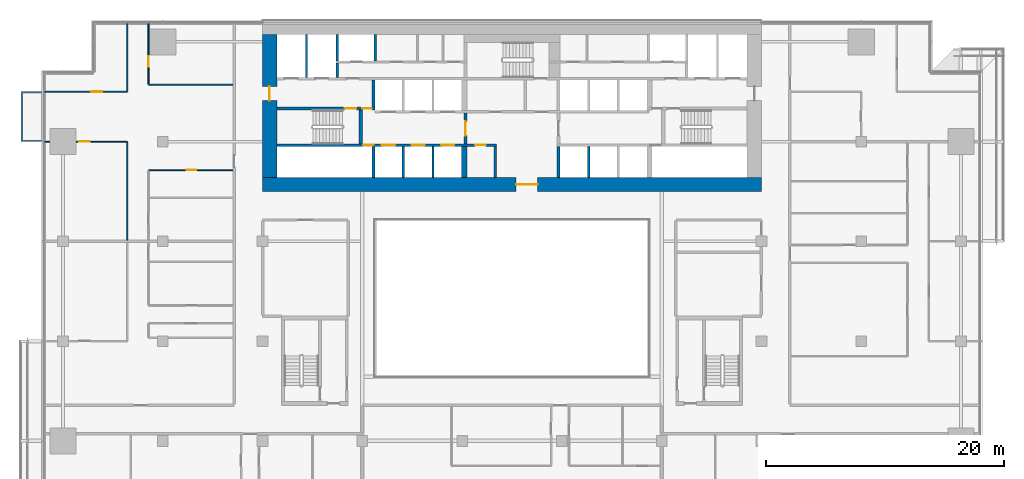
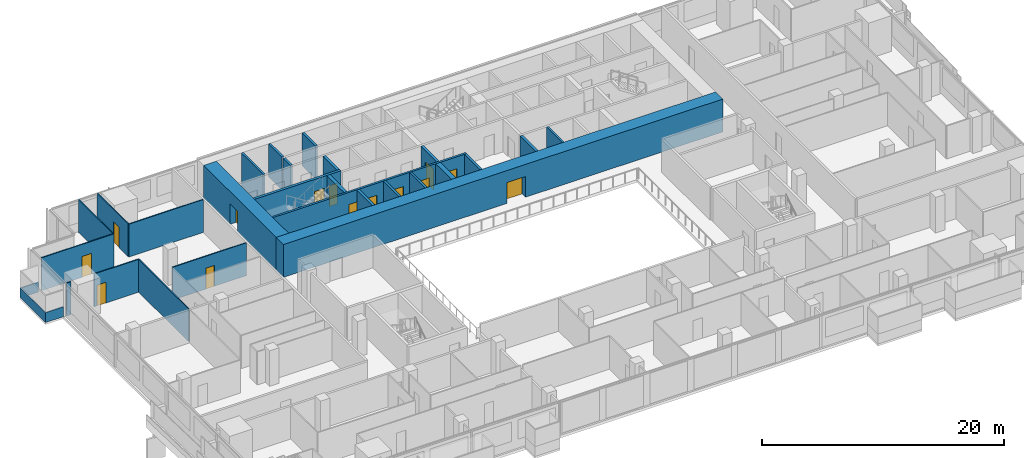
# One storey, part 21 of 29: 27 walls, 14 doors, 14 openings.
"""IFC4 building model written with IfcOpenShell, lengths in metres."""

from ifc_helpers import new_model, si_unit, direction, frame, frame_2d, origin, place, context, subcontext, project, spatial, polyline, rectangle, outline, extrude, material, layer, layer_set, type_object, element, fill, save


model = new_model("IFC4")

# Units and contexts
model_context = context("Model", 3, precision=1e-05, world=origin(), true_north=direction((0.0, 1.0)))
body_context = subcontext(model_context, "Body", "Model", "MODEL_VIEW")
ifc_project = project(units=[si_unit("LENGTHUNIT", "METRE"), si_unit("AREAUNIT", "SQUARE_METRE"), si_unit("VOLUMEUNIT", "CUBIC_METRE"), si_unit("PLANEANGLEUNIT", "RADIAN"), si_unit("MASSUNIT", "GRAM", prefix="KILO")], contexts=[model_context])

# Site, building, storey
site_placement = place(None, origin())
site = spatial("IfcSite", under=ifc_project, at=site_placement, CompositionType="ELEMENT")
building_placement = place(site_placement, origin())
building = spatial("IfcBuilding", under=site, at=building_placement, Name="Saffron Gate Tower", CompositionType="ELEMENT")
storey_placement = place(building_placement, frame((0.0, 0.0, 55.199951171875)))
storey = spatial("IfcBuildingStorey", under=building, at=storey_placement, Name="L12", CompositionType="ELEMENT", Elevation=55.199951171875)

# Wall, opening, door
ifc_material_1 = material(Name="Concrete C70", Category="concrete")
ifc_layer_1 = layer(ifc_material_1, 1.199951171875)
ifc_layer_set_1 = layer_set([ifc_layer_1], Name="CW1 RC core wall 1200 C70")
wall_type_1 = type_object("IfcWallType", Name="CW1 RC core wall 1200 C70", PredefinedType="SOLIDWALL", material=ifc_layer_set_1)
wall_1_placement = place(storey_placement, frame((66.60009765625, 61.800048828125, 0.0), z_axis=(0.0, 0.0, 1.0), x_axis=(1.0, 0.0, 0.0)))
wall_1 = element("IfcWall", 1, at=wall_1_placement, inside=storey, type_object=wall_type_1, Name="Wall CW1-L12-1", PredefinedType="SOLIDWALL", context=body_context, shape_type="SweptSolid", body=[
    extrude(rectangle(XDim=42.0, YDim=1.199951171875, at=frame_2d((21.0, 0.0))), origin(), (0.0, 0.0, 1.0), 3.320068359375),
])
opening_1_placement = place(wall_1_placement, frame((21.35009765625, 0.0, 0.0)))
opening_1 = element("IfcOpeningElement", 2, at=opening_1_placement, cuts=wall_1, Name="Opening CR-09", PredefinedType="OPENING", context=body_context, shape_type="SweptSolid", body=[
    extrude(rectangle(XDim=1.800048828125, YDim=2.10009765625, at=frame_2d((0.89990234375, 1.050048828125))), frame((0.0, 0.60986328125, 0.0), z_axis=(0.0, -1.0, 0.0), x_axis=(1.0, 0.0, 0.0)), (0.0, 0.0, 1.0), 1.219970703125),
])
ifc_material_2 = material(Name="Steel fire door set", Category="steel")
door_type_1 = type_object("IfcDoorType", Name="CD1 Core entrance door 1800x2100 EI 120", OperationType="NOTDEFINED", PredefinedType="DOOR", material=ifc_material_2)
door_1_placement = place(opening_1_placement, origin())
door_1 = element("IfcDoor", 3, at=door_1_placement, inside=storey, type_object=door_type_1, Name="DOOR CR-09", OperationType="DOUBLE_DOOR_SINGLE_SWING", OverallHeight=2.10009765625, OverallWidth=1.800048828125, PredefinedType="DOOR", context=body_context, shape_type="SweptSolid", body=[
    extrude(rectangle(XDim=1.800048828125, YDim=2.10009765625, at=frame_2d((0.89990234375, 1.050048828125))), frame((0.0, 0.02490234375, 0.0), z_axis=(0.0, -1.0, 0.0), x_axis=(1.0, 0.0, 0.0)), (0.0, 0.0, 1.0), 0.050048828125),
])
fill(opening_1, door_1)

wall_2_placement = place(storey_placement, frame((67.199951171875, 62.39990234375, 0.0), z_axis=(0.0, 0.0, 1.0), x_axis=(0.0, 1.0, 0.0)))
wall_2 = element("IfcWall", 4, at=wall_2_placement, inside=storey, type_object=wall_type_1, Name="Wall CW1-L12-3", PredefinedType="SOLIDWALL", context=body_context, shape_type="SweptSolid", body=[
    extrude(rectangle(XDim=12.0, YDim=1.199951171875, at=frame_2d((6.0, 0.0))), origin(), (0.0, 0.0, 1.0), 3.320068359375),
])
opening_2_placement = place(wall_2_placement, frame((6.449951171875, 0.0, 0.0)))
opening_2 = element("IfcOpeningElement", 5, at=opening_2_placement, cuts=wall_2, Name="Opening CR-10", PredefinedType="OPENING", context=body_context, shape_type="SweptSolid", body=[
    extrude(rectangle(XDim=1.199951171875, YDim=2.10009765625, at=frame_2d((0.60009765625, 1.050048828125))), frame((0.0, 0.60986328125, 0.0), z_axis=(0.0, -1.0, 0.0), x_axis=(1.0, 0.0, 0.0)), (0.0, 0.0, 1.0), 1.219970703125),
])
door_type_2 = type_object("IfcDoorType", Name="CD7 Core entrance door 1200x2100 EI 120", OperationType="NOTDEFINED", PredefinedType="DOOR", material=ifc_material_2)
door_2_placement = place(opening_2_placement, origin())
door_2 = element("IfcDoor", 6, at=door_2_placement, inside=storey, type_object=door_type_2, Name="DOOR CR-10", OperationType="SINGLE_SWING_LEFT", OverallHeight=2.10009765625, OverallWidth=1.199951171875, PredefinedType="DOOR", context=body_context, shape_type="SweptSolid", body=[
    extrude(rectangle(XDim=1.199951171875, YDim=2.10009765625, at=frame_2d((0.60009765625, 1.050048828125))), frame((0.0, 0.02490234375, 0.0), z_axis=(0.0, -1.0, 0.0), x_axis=(1.0, 0.0, 0.0)), (0.0, 0.0, 1.0), 0.050048828125),
])
fill(opening_2, door_2)

# Walls
ifc_material_3 = material(Name="Gypsum board partition on steel studs", Category="steel")
ifc_layer_2 = layer(ifc_material_3, 0.199951171875)
ifc_layer_set_2 = layer_set([ifc_layer_2], Name="CW10 Core partition 200")
wall_type_2 = type_object("IfcWallType", Name="CW10 Core partition 200", PredefinedType="PARTITIONING", material=ifc_layer_set_2)
wall_3_placement = place(storey_placement, frame((86.199951171875, 62.39990234375, 0.0), z_axis=(0.0, 0.0, 1.0), x_axis=(0.0, 1.0, 0.0)))
element("IfcWall", 7, at=wall_3_placement, inside=storey, type_object=wall_type_2, Name="Wall CW10-L12-9", PredefinedType="PARTITIONING", context=body_context, shape_type="SweptSolid", body=[
    extrude(rectangle(XDim=2.60009765625, YDim=0.199951171875, at=frame_2d((1.300048828125, 0.0))), origin(), (0.0, 0.0, 1.0), 3.320068359375),
])
ifc_layer_3 = layer(ifc_material_1, 0.25)
ifc_layer_set_3 = layer_set([ifc_layer_3], Name="CW2 RC core wall 250 C70")
wall_type_3 = type_object("IfcWallType", Name="CW2 RC core wall 250 C70", PredefinedType="SOLIDWALL", material=ifc_layer_set_3)
for number, where, z_axis, x_axis, name in (
    (8, (75.925048828125, 62.39990234375, 0.0), (0.0, 0.0, 1.0), (0.0, 1.0, 0.0), "Wall CW2-L12-5"),
    (9, (91.52490234375, 62.39990234375, 0.0), (0.0, 0.0, 1.0), (0.0, 1.0, 0.0), "Wall CW2-L12-10"),
):
    element("IfcWall", number, at=place(storey_placement, frame(where, z_axis=z_axis, x_axis=x_axis)), inside=storey, type_object=wall_type_3, Name=name, PredefinedType="SOLIDWALL", context=body_context, shape_type="SweptSolid", body=[
        extrude(rectangle(XDim=2.60009765625, YDim=0.25, at=frame_2d((1.300048828125, 0.0))), origin(), (0.0, 0.0, 1.0), 3.320068359375),
    ])

# Wall, opening, door
wall_4_placement = place(storey_placement, frame((83.675048828125, 65.199951171875, 0.0), z_axis=(0.0, 0.0, 1.0), x_axis=(0.0, 1.0, 0.0)))
wall_4 = element("IfcWall", 10, at=wall_4_placement, inside=storey, type_object=wall_type_3, Name="Wall CW2-L12-17", PredefinedType="SOLIDWALL", context=body_context, shape_type="SweptSolid", body=[
    extrude(rectangle(XDim=2.60009765625, YDim=0.25, at=frame_2d((1.300048828125, 0.0))), origin(), (0.0, 0.0, 1.0), 3.320068359375),
])
opening_3_placement = place(wall_4_placement, frame((0.699951171875, 0.0, 0.0)))
opening_3 = element("IfcOpeningElement", 11, at=opening_3_placement, cuts=wall_4, Name="Opening CR-07", PredefinedType="OPENING", context=body_context, shape_type="SweptSolid", body=[
    extrude(rectangle(XDim=1.199951171875, YDim=2.10009765625, at=frame_2d((0.60009765625, 1.050048828125))), frame((0.0, 0.135009765625, 0.0), z_axis=(0.0, -1.0, 0.0), x_axis=(1.0, 0.0, 0.0)), (0.0, 0.0, 1.0), 0.27001953125),
])
door_type_3 = type_object("IfcDoorType", Name="CD3 Lobby door 1200x2100 EI 120", OperationType="NOTDEFINED", PredefinedType="DOOR", material=ifc_material_2)
door_3_placement = place(opening_3_placement, origin())
door_3 = element("IfcDoor", 12, at=door_3_placement, inside=storey, type_object=door_type_3, Name="DOOR CR-07", OperationType="SINGLE_SWING_RIGHT", OverallHeight=2.10009765625, OverallWidth=1.199951171875, PredefinedType="DOOR", context=body_context, shape_type="SweptSolid", body=[
    extrude(rectangle(XDim=1.199951171875, YDim=2.10009765625, at=frame_2d((0.60009765625, 1.050048828125))), frame((0.0, 0.02490234375, 0.0), z_axis=(0.0, -1.0, 0.0), x_axis=(1.0, 0.0, 0.0)), (0.0, 0.0, 1.0), 0.050048828125),
])
fill(opening_3, door_3)

# Wall, openings, doors
wall_5_placement = place(storey_placement, frame((67.800048828125, 68.175048828125, 0.0), z_axis=(0.0, 0.0, 1.0), x_axis=(1.0, 0.0, 0.0)))
wall_5 = element("IfcWall", 13, at=wall_5_placement, inside=storey, type_object=wall_type_3, Name="Wall CW2-L12-29", PredefinedType="SOLIDWALL", context=body_context, shape_type="SweptSolid", body=[
    extrude(rectangle(XDim=8.25, YDim=0.25, at=frame_2d((4.125, 0.0))), origin(), (0.0, 0.0, 1.0), 3.320068359375),
])
opening_4_placement = place(wall_5_placement, frame((5.699951171875, 0.0, 0.0)))
opening_4 = element("IfcOpeningElement", 14, at=opening_4_placement, cuts=wall_5, Name="Opening CR-15", PredefinedType="OPENING", context=body_context, shape_type="SweptSolid", body=[
    extrude(rectangle(XDim=1.0, YDim=2.10009765625, at=frame_2d((0.5, 1.050048828125))), frame((0.0, 0.135009765625, 0.0), z_axis=(0.0, -1.0, 0.0), x_axis=(1.0, 0.0, 0.0)), (0.0, 0.0, 1.0), 0.27001953125),
])
opening_5_placement = place(wall_5_placement, frame((7.199951171875, 0.0, 0.0)))
opening_5 = element("IfcOpeningElement", 15, at=opening_5_placement, cuts=wall_5, Name="Opening CR-06", PredefinedType="OPENING", context=body_context, shape_type="SweptSolid", body=[
    extrude(rectangle(XDim=0.800048828125, YDim=2.10009765625, at=frame_2d((0.39990234375, 1.050048828125))), frame((0.0, 0.135009765625, 0.0), z_axis=(0.0, -1.0, 0.0), x_axis=(1.0, 0.0, 0.0)), (0.0, 0.0, 1.0), 0.27001953125),
])
door_type_4 = type_object("IfcDoorType", Name="CD5 Stair door 1000x2100 EI 120", OperationType="NOTDEFINED", PredefinedType="DOOR", material=ifc_material_2)
door_4_placement = place(opening_4_placement, origin())
door_4 = element("IfcDoor", 16, at=door_4_placement, inside=storey, type_object=door_type_4, Name="DOOR CR-15", OperationType="SINGLE_SWING_RIGHT", OverallHeight=2.10009765625, OverallWidth=1.0, PredefinedType="DOOR", context=body_context, shape_type="SweptSolid", body=[
    extrude(rectangle(XDim=1.0, YDim=2.10009765625, at=frame_2d((0.5, 1.050048828125))), frame((0.0, 0.02490234375, 0.0), z_axis=(0.0, -1.0, 0.0), x_axis=(1.0, 0.0, 0.0)), (0.0, 0.0, 1.0), 0.050048828125),
])
fill(opening_4, door_4)
door_type_5 = type_object("IfcDoorType", Name="CD6 Lobby door 800x2100 EI 120", OperationType="NOTDEFINED", PredefinedType="DOOR", material=ifc_material_2)
door_5_placement = place(opening_5_placement, origin())
door_5 = element("IfcDoor", 17, at=door_5_placement, inside=storey, type_object=door_type_5, Name="DOOR CR-06", OperationType="SINGLE_SWING_LEFT", OverallHeight=2.10009765625, OverallWidth=0.800048828125, PredefinedType="DOOR", context=body_context, shape_type="SweptSolid", body=[
    extrude(rectangle(XDim=0.800048828125, YDim=2.10009765625, at=frame_2d((0.39990234375, 1.050048828125))), frame((0.0, 0.02490234375, 0.0), z_axis=(0.0, -1.0, 0.0), x_axis=(1.0, 0.0, 0.0)), (0.0, 0.0, 1.0), 0.050048828125),
])
fill(opening_5, door_5)

# Walls
wall_6_placement = place(storey_placement, frame((75.925048828125, 68.300048828125, 0.0), z_axis=(0.0, 0.0, 1.0), x_axis=(0.0, 1.0, 0.0)))
element("IfcWall", 18, at=wall_6_placement, inside=storey, type_object=wall_type_3, Name="Wall CW2-L12-31", PredefinedType="SOLIDWALL", context=body_context, shape_type="SweptSolid", body=[
    extrude(rectangle(XDim=2.300048828125, YDim=0.25, at=frame_2d((1.14990234375, 0.0))), origin(), (0.0, 0.0, 1.0), 3.320068359375),
])
ifc_layer_4 = layer(ifc_material_1, 0.199951171875)
ifc_layer_set_4 = layer_set([ifc_layer_4], Name="CW3 RC core wall 200 C70")
wall_type_4 = type_object("IfcWallType", Name="CW3 RC core wall 200 C70", PredefinedType="SOLIDWALL", material=ifc_layer_set_4)
for number, where, z_axis, x_axis, name in (
    (19, (78.449951171875, 62.39990234375, 0.0), (0.0, 0.0, 1.0), (0.0, 1.0, 0.0), "Wall CW3-L12-6"),
    (20, (80.949951171875, 62.39990234375, 0.0), (0.0, 0.0, 1.0), (0.0, 1.0, 0.0), "Wall CW3-L12-7"),
    (21, (94.050048828125, 62.39990234375, 0.0), (0.0, 0.0, 1.0), (0.0, 1.0, 0.0), "Wall CW3-L12-11"),
):
    element("IfcWall", number, at=place(storey_placement, frame(where, z_axis=z_axis, x_axis=x_axis)), inside=storey, type_object=wall_type_4, Name=name, PredefinedType="SOLIDWALL", context=body_context, shape_type="SweptSolid", body=[
        extrude(rectangle(XDim=2.60009765625, YDim=0.199951171875, at=frame_2d((1.300048828125, 0.0))), origin(), (0.0, 0.0, 1.0), 3.320068359375),
    ])

# Wall, openings, doors
wall_7_placement = place(storey_placement, frame((67.800048828125, 65.10009765625, 0.0), z_axis=(0.0, 0.0, 1.0), x_axis=(1.0, 0.0, 0.0)))
wall_7 = element("IfcWall", 22, at=wall_7_placement, inside=storey, type_object=wall_type_4, Name="Wall CW3-L12-14", PredefinedType="SOLIDWALL", context=body_context, shape_type="SweptSolid", body=[
    extrude(rectangle(XDim=18.5, YDim=0.199951171875, at=frame_2d((9.25, 0.0))), origin(), (0.0, 0.0, 1.0), 3.320068359375),
])
opening_6_placement = place(wall_7_placement, frame((7.27001953125, 0.0, 0.0)))
opening_6 = element("IfcOpeningElement", 23, at=opening_6_placement, cuts=wall_7, Name="Opening CR-49", PredefinedType="OPENING", context=body_context, shape_type="SweptSolid", body=[
    extrude(rectangle(XDim=0.89990234375, YDim=2.10009765625, at=frame_2d((0.449951171875, 1.050048828125))), frame((0.0, 0.10986328125, 0.0), z_axis=(0.0, -1.0, 0.0), x_axis=(1.0, 0.0, 0.0)), (0.0, 0.0, 1.0), 0.219970703125),
])
opening_7_placement = place(wall_7_placement, frame((8.85009765625, 0.0, 0.0)))
opening_7 = element("IfcOpeningElement", 24, at=opening_7_placement, cuts=wall_7, Name="Opening LD-LR1", PredefinedType="OPENING", context=body_context, shape_type="SweptSolid", body=[
    extrude(rectangle(XDim=1.10009765625, YDim=2.10009765625, at=frame_2d((0.550048828125, 1.050048828125))), frame((0.0, 0.10986328125, 0.0), z_axis=(0.0, -1.0, 0.0), x_axis=(1.0, 0.0, 0.0)), (0.0, 0.0, 1.0), 0.219970703125),
])
opening_8_placement = place(wall_7_placement, frame((11.35009765625, 0.0, 0.0)))
opening_8 = element("IfcOpeningElement", 25, at=opening_8_placement, cuts=wall_7, Name="Opening LD-LR2", PredefinedType="OPENING", context=body_context, shape_type="SweptSolid", body=[
    extrude(rectangle(XDim=1.10009765625, YDim=2.10009765625, at=frame_2d((0.550048828125, 1.050048828125))), frame((0.0, 0.10986328125, 0.0), z_axis=(0.0, -1.0, 0.0), x_axis=(1.0, 0.0, 0.0)), (0.0, 0.0, 1.0), 0.219970703125),
])
opening_9_placement = place(wall_7_placement, frame((13.85009765625, 0.0, 0.0)))
opening_9 = element("IfcOpeningElement", 26, at=opening_9_placement, cuts=wall_7, Name="Opening LD-LR3", PredefinedType="OPENING", context=body_context, shape_type="SweptSolid", body=[
    extrude(rectangle(XDim=1.10009765625, YDim=2.10009765625, at=frame_2d((0.550048828125, 1.050048828125))), frame((0.0, 0.10986328125, 0.0), z_axis=(0.0, -1.0, 0.0), x_axis=(1.0, 0.0, 0.0)), (0.0, 0.0, 1.0), 0.219970703125),
])
opening_10_placement = place(wall_7_placement, frame((16.699951171875, 0.0, 0.0)))
opening_10 = element("IfcOpeningElement", 27, at=opening_10_placement, cuts=wall_7, Name="Opening CR-69", PredefinedType="OPENING", context=body_context, shape_type="SweptSolid", body=[
    extrude(rectangle(XDim=0.89990234375, YDim=2.10009765625, at=frame_2d((0.449951171875, 1.050048828125))), frame((0.0, 0.10986328125, 0.0), z_axis=(0.0, -1.0, 0.0), x_axis=(1.0, 0.0, 0.0)), (0.0, 0.0, 1.0), 0.219970703125),
])
door_type_6 = type_object("IfcDoorType", Name="CD2 Riser door 900x2100 EI 60", OperationType="NOTDEFINED", PredefinedType="DOOR", material=ifc_material_2)
door_6_placement = place(opening_6_placement, origin())
door_6 = element("IfcDoor", 28, at=door_6_placement, inside=storey, type_object=door_type_6, Name="DOOR CR-49", OperationType="SINGLE_SWING_LEFT", OverallHeight=2.10009765625, OverallWidth=0.89990234375, PredefinedType="DOOR", context=body_context, shape_type="SweptSolid", body=[
    extrude(rectangle(XDim=0.89990234375, YDim=2.10009765625, at=frame_2d((0.449951171875, 1.050048828125))), frame((0.0, 0.02490234375, 0.0), z_axis=(0.0, -1.0, 0.0), x_axis=(1.0, 0.0, 0.0)), (0.0, 0.0, 1.0), 0.050048828125),
])
fill(opening_6, door_6)
door_type_7 = type_object("IfcDoorType", Name="CD9 Room door 900x2100 EI 60", OperationType="NOTDEFINED", PredefinedType="DOOR", material=ifc_material_2)
door_7_placement = place(opening_10_placement, origin())
door_7 = element("IfcDoor", 29, at=door_7_placement, inside=storey, type_object=door_type_7, Name="DOOR CR-69", OperationType="SINGLE_SWING_RIGHT", OverallHeight=2.10009765625, OverallWidth=0.89990234375, PredefinedType="DOOR", context=body_context, shape_type="SweptSolid", body=[
    extrude(rectangle(XDim=0.89990234375, YDim=2.10009765625, at=frame_2d((0.449951171875, 1.050048828125))), frame((0.0, 0.02490234375, 0.0), z_axis=(0.0, -1.0, 0.0), x_axis=(1.0, 0.0, 0.0)), (0.0, 0.0, 1.0), 0.050048828125),
])
fill(opening_10, door_7)
ifc_material_4 = material(Name="Stainless steel landing door", Category="steel")
door_type_8 = type_object("IfcDoorType", Name="LD Lift landing door 1100x2100 EI 120", OperationType="SLIDING_TO_LEFT", PredefinedType="DOOR", material=ifc_material_4)
door_8_placement = place(opening_7_placement, origin())
door_8 = element("IfcDoor", 30, at=door_8_placement, inside=storey, type_object=door_type_8, Name="LANDING DOOR LD-LR1", OperationType="SLIDING_TO_LEFT", OverallHeight=2.10009765625, OverallWidth=1.10009765625, PredefinedType="DOOR", context=body_context, shape_type="SweptSolid", body=[
    extrude(rectangle(XDim=1.10009765625, YDim=2.10009765625, at=frame_2d((0.550048828125, 1.050048828125))), frame((0.0, 0.02490234375, 0.0), z_axis=(0.0, -1.0, 0.0), x_axis=(1.0, 0.0, 0.0)), (0.0, 0.0, 1.0), 0.050048828125),
])
fill(opening_7, door_8)
door_9_placement = place(opening_8_placement, origin())
door_9 = element("IfcDoor", 31, at=door_9_placement, inside=storey, type_object=door_type_8, Name="LANDING DOOR LD-LR2", OperationType="SLIDING_TO_LEFT", OverallHeight=2.10009765625, OverallWidth=1.10009765625, PredefinedType="DOOR", context=body_context, shape_type="SweptSolid", body=[
    extrude(rectangle(XDim=1.10009765625, YDim=2.10009765625, at=frame_2d((0.550048828125, 1.050048828125))), frame((0.0, 0.02490234375, 0.0), z_axis=(0.0, -1.0, 0.0), x_axis=(1.0, 0.0, 0.0)), (0.0, 0.0, 1.0), 0.050048828125),
])
fill(opening_8, door_9)
door_10_placement = place(opening_9_placement, origin())
door_10 = element("IfcDoor", 32, at=door_10_placement, inside=storey, type_object=door_type_8, Name="LANDING DOOR LD-LR3", OperationType="SLIDING_TO_LEFT", OverallHeight=2.10009765625, OverallWidth=1.10009765625, PredefinedType="DOOR", context=body_context, shape_type="SweptSolid", body=[
    extrude(rectangle(XDim=1.10009765625, YDim=2.10009765625, at=frame_2d((0.550048828125, 1.050048828125))), frame((0.0, 0.02490234375, 0.0), z_axis=(0.0, -1.0, 0.0), x_axis=(1.0, 0.0, 0.0)), (0.0, 0.0, 1.0), 0.050048828125),
])
fill(opening_9, door_10)

# Walls
wall_8_placement = place(storey_placement, frame((70.300048828125, 70.800048828125, 0.0), z_axis=(0.0, 0.0, 1.0), x_axis=(0.0, 1.0, 0.0)))
element("IfcWall", 33, at=wall_8_placement, inside=storey, type_object=wall_type_4, Name="Wall CW3-L12-34", PredefinedType="SOLIDWALL", context=body_context, shape_type="SweptSolid", body=[
    extrude(rectangle(XDim=3.599853515625, YDim=0.199951171875, at=frame_2d((1.7998046875, 0.0))), origin(), (0.0, 0.0, 1.0), 3.320068359375),
])
wall_9_placement = place(storey_placement, frame((72.89990234375, 70.800048828125, 0.0), z_axis=(0.0, 0.0, 1.0), x_axis=(0.0, 1.0, 0.0)))
element("IfcWall", 34, at=wall_9_placement, inside=storey, type_object=wall_type_4, Name="Wall CW3-L12-35", PredefinedType="SOLIDWALL", context=body_context, shape_type="SweptSolid", body=[
    extrude(rectangle(XDim=1.199951171875, YDim=0.199951171875, at=frame_2d((0.60009765625, 0.0))), origin(), (0.0, 0.0, 1.0), 3.320068359375),
])
for number, where, z_axis, x_axis, name in (
    (35, (72.89990234375, 72.199951171875, 0.0), (0.0, 0.0, 1.0), (0.0, 1.0, 0.0), "Wall CW3-L12-42"),
    (36, (76.10009765625, 72.199951171875, 0.0), (0.0, 0.0, 1.0), (0.0, 1.0, 0.0), "Wall CW3-L12-43"),
):
    element("IfcWall", number, at=place(storey_placement, frame(where, z_axis=z_axis, x_axis=x_axis)), inside=storey, type_object=wall_type_4, Name=name, PredefinedType="SOLIDWALL", context=body_context, shape_type="SweptSolid", body=[
        extrude(rectangle(XDim=2.199951171875, YDim=0.199951171875, at=frame_2d((1.10009765625, 0.0))), origin(), (0.0, 0.0, 1.0), 3.320068359375),
    ])
ifc_layer_5 = layer(ifc_material_1, 0.449951171875)
ifc_layer_set_5 = layer_set([ifc_layer_5], Name="CW4 RC core wall 450 C70")
wall_type_5 = type_object("IfcWallType", Name="CW4 RC core wall 450 C70", PredefinedType="SOLIDWALL", material=ifc_layer_set_5)
wall_10_placement = place(storey_placement, frame((83.574951171875, 62.39990234375, 0.0), z_axis=(0.0, 0.0, 1.0), x_axis=(0.0, 1.0, 0.0)))
element("IfcWall", 37, at=wall_10_placement, inside=storey, type_object=wall_type_5, Name="Wall CW4-L12-8", PredefinedType="SOLIDWALL", context=body_context, shape_type="SweptSolid", body=[
    extrude(rectangle(XDim=2.60009765625, YDim=0.449951171875, at=frame_2d((1.300048828125, 0.0))), origin(), (0.0, 0.0, 1.0), 3.320068359375),
])
ifc_layer_6 = layer(ifc_material_1, 0.300048828125)
ifc_layer_set_6 = layer_set([ifc_layer_6], Name="CW5 RC core wall 300 C70")
wall_type_6 = type_object("IfcWallType", Name="CW5 RC core wall 300 C70", PredefinedType="SOLIDWALL", material=ifc_layer_set_6)
wall_11_placement = place(storey_placement, frame((74.85009765625, 65.199951171875, 0.0), z_axis=(0.0, 0.0, 1.0), x_axis=(0.0, 1.0, 0.0)))
element("IfcWall", 38, at=wall_11_placement, inside=storey, type_object=wall_type_6, Name="Wall CW5-L12-16", PredefinedType="SOLIDWALL", context=body_context, shape_type="SweptSolid", body=[
    extrude(rectangle(XDim=2.85009765625, YDim=0.300048828125, at=frame_2d((1.425048828125, 0.0))), origin(), (0.0, 0.0, 1.0), 3.320068359375),
])

# Wall, opening, door
ifc_material_5 = material(Name="Plasterboard on steel studs", Category="steel")
ifc_layer_7 = layer(ifc_material_5, 0.10009765625)
ifc_layer_set_7 = layer_set([ifc_layer_7], Name="PW1 Partition 100")
wall_type_7 = type_object("IfcWallType", Name="PW1 Partition 100", PredefinedType="PARTITIONING", material=ifc_layer_set_7)
wall_12_placement = place(storey_placement, frame((64.10009765625, 63.0, 0.0), z_axis=(0.0, 0.0, 1.0), x_axis=(-1.0, 0.0, 0.0)))
wall_12 = element("IfcWall", 39, at=wall_12_placement, inside=storey, type_object=wall_type_7, Name="Partition A2-42", PredefinedType="PARTITIONING", context=body_context, shape_type="SweptSolid", body=[
    extrude(rectangle(XDim=7.10009765625, YDim=0.10009765625, at=frame_2d((3.550048828125, 0.0))), origin(), (0.0, 0.0, 1.0), 3.320068359375),
])
opening_11_placement = place(wall_12_placement, frame((3.10009765625, 0.0, 0.0)))
opening_11 = element("IfcOpeningElement", 40, at=opening_11_placement, cuts=wall_12, Name="Opening A2-41", PredefinedType="OPENING", context=body_context, shape_type="SweptSolid", body=[
    extrude(rectangle(XDim=0.800048828125, YDim=2.10009765625, at=frame_2d((0.39990234375, 1.050048828125))), frame((0.0, 0.06005859375, 0.0), z_axis=(0.0, -1.0, 0.0), x_axis=(1.0, 0.0, 0.0)), (0.0, 0.0, 1.0), 0.1201171875),
])
ifc_material_6 = material(Name="Timber door set", Category="wood")
door_type_9 = type_object("IfcDoorType", Name="RD2 Bathroom door 800x2100", OperationType="NOTDEFINED", PredefinedType="DOOR", material=ifc_material_6)
door_11_placement = place(opening_11_placement, origin())
door_11 = element("IfcDoor", 41, at=door_11_placement, inside=storey, type_object=door_type_9, Name="Door A2-41", OperationType="SINGLE_SWING_LEFT", OverallHeight=2.10009765625, OverallWidth=0.800048828125, PredefinedType="DOOR", context=body_context, shape_type="SweptSolid", body=[
    extrude(rectangle(XDim=0.800048828125, YDim=2.10009765625, at=frame_2d((0.39990234375, 1.050048828125))), frame((0.0, 0.02490234375, 0.0), z_axis=(0.0, -1.0, 0.0), x_axis=(1.0, 0.0, 0.0)), (0.0, 0.0, 1.0), 0.050048828125),
])
fill(opening_11, door_11)

# Wall
wall_13_placement = place(storey_placement, frame((48.280029296875, 65.39990234375, 0.0), z_axis=(0.0, 0.0, 1.0), x_axis=(1.0, 0.0, 0.0)))
element("IfcWall", 42, at=wall_13_placement, inside=storey, type_object=wall_type_7, Name="Partition A2-46", PredefinedType="PARTITIONING", context=body_context, shape_type="SweptSolid", body=[
    extrude(rectangle(XDim=0.39990234375, YDim=0.10009765625, at=frame_2d((0.199951171875, 0.0))), origin(), (0.0, 0.0, 1.0), 3.320068359375),
])

# Wall, opening, door
wall_14_placement = place(storey_placement, frame((55.199951171875, 65.39990234375, 0.0), z_axis=(0.0, 0.0, 1.0), x_axis=(-1.0, 0.0, 0.0)))
wall_14 = element("IfcWall", 43, at=wall_14_placement, inside=storey, type_object=wall_type_7, Name="Partition A2-47", PredefinedType="PARTITIONING", context=body_context, shape_type="SweptSolid", body=[
    extrude(rectangle(XDim=4.280029296875, YDim=0.10009765625, at=frame_2d((2.14013671875, 0.0))), origin(), (0.0, 0.0, 1.0), 3.320068359375),
])
opening_12_placement = place(wall_14_placement, frame((3.14990234375, 0.0, 0.0)))
opening_12 = element("IfcOpeningElement", 44, at=opening_12_placement, cuts=wall_14, Name="Opening A2-24", PredefinedType="OPENING", context=body_context, shape_type="SweptSolid", body=[
    extrude(rectangle(XDim=0.89990234375, YDim=2.10009765625, at=frame_2d((0.449951171875, 1.050048828125))), frame((0.0, 0.06005859375, 0.0), z_axis=(0.0, -1.0, 0.0), x_axis=(1.0, 0.0, 0.0)), (0.0, 0.0, 1.0), 0.1201171875),
])
door_type_10 = type_object("IfcDoorType", Name="RD1 Room door 900x2100", OperationType="NOTDEFINED", PredefinedType="DOOR", material=ifc_material_6)
door_12_placement = place(opening_12_placement, origin())
door_12 = element("IfcDoor", 45, at=door_12_placement, inside=storey, type_object=door_type_10, Name="Door A2-24", OperationType="SINGLE_SWING_RIGHT", OverallHeight=2.10009765625, OverallWidth=0.89990234375, PredefinedType="DOOR", context=body_context, shape_type="SweptSolid", body=[
    extrude(rectangle(XDim=0.89990234375, YDim=2.10009765625, at=frame_2d((0.449951171875, 1.050048828125))), frame((0.0, 0.02490234375, 0.0), z_axis=(0.0, -1.0, 0.0), x_axis=(1.0, 0.0, 0.0)), (0.0, 0.0, 1.0), 0.050048828125),
])
fill(opening_12, door_12)

wall_15_placement = place(storey_placement, frame((48.280029296875, 69.60009765625, 0.0), z_axis=(0.0, 0.0, 1.0), x_axis=(1.0, 0.0, 0.0)))
wall_15 = element("IfcWall", 46, at=wall_15_placement, inside=storey, type_object=wall_type_7, Name="Partition A2-48", PredefinedType="PARTITIONING", context=body_context, shape_type="SweptSolid", body=[
    extrude(rectangle(XDim=6.919921875, YDim=0.10009765625, at=frame_2d((3.4599609375, 0.0))), origin(), (0.0, 0.0, 1.0), 3.320068359375),
])
opening_13_placement = place(wall_15_placement, frame((3.9052734375, 0.0, 0.0)))
opening_13 = element("IfcOpeningElement", 47, at=opening_13_placement, cuts=wall_15, Name="Opening A2-25", PredefinedType="OPENING", context=body_context, shape_type="SweptSolid", body=[
    extrude(rectangle(XDim=0.89990234375, YDim=2.10009765625, at=frame_2d((0.449951171875, 1.050048828125))), frame((0.0, 0.06005859375, 0.0), z_axis=(0.0, -1.0, 0.0), x_axis=(1.0, 0.0, 0.0)), (0.0, 0.0, 1.0), 0.1201171875),
])
door_13_placement = place(opening_13_placement, origin())
door_13 = element("IfcDoor", 48, at=door_13_placement, inside=storey, type_object=door_type_10, Name="Door A2-25", OperationType="SINGLE_SWING_RIGHT", OverallHeight=2.10009765625, OverallWidth=0.89990234375, PredefinedType="DOOR", context=body_context, shape_type="SweptSolid", body=[
    extrude(rectangle(XDim=0.89990234375, YDim=2.10009765625, at=frame_2d((0.449951171875, 1.050048828125))), frame((0.0, 0.02490234375, 0.0), z_axis=(0.0, -1.0, 0.0), x_axis=(1.0, 0.0, 0.0)), (0.0, 0.0, 1.0), 0.050048828125),
])
fill(opening_13, door_13)

# Walls
wall_16_placement = place(storey_placement, frame((57.0, 70.1943359375, 0.0), z_axis=(0.0, 0.0, 1.0), x_axis=(1.0, 0.0, 0.0)))
element("IfcWall", 49, at=wall_16_placement, inside=storey, type_object=wall_type_7, Name="Partition A2-51", PredefinedType="PARTITIONING", context=body_context, shape_type="SweptSolid", body=[
    extrude(rectangle(XDim=7.10009765625, YDim=0.10009765625, at=frame_2d((3.550048828125, 0.0))), origin(), (0.0, 0.0, 1.0), 3.320068359375),
])
wall_17_placement = place(storey_placement, frame((55.199951171875, 75.320068359375, 0.0), z_axis=(0.0, 0.0, 1.0), x_axis=(0.0, -1.0, 0.0)))
element("IfcWall", 50, at=wall_17_placement, inside=storey, type_object=wall_type_7, Name="Partition A2-53", PredefinedType="PARTITIONING", context=body_context, shape_type="SweptSolid", body=[
    extrude(rectangle(XDim=5.670166015625, YDim=0.10009765625, at=frame_2d((2.8349609375, 0.0))), origin(), (0.0, 0.0, 1.0), 3.320068359375),
])

# Wall, opening, door
wall_18_placement = place(storey_placement, frame((57.0, 75.320068359375, 0.0), z_axis=(0.0, 0.0, 1.0), x_axis=(0.0, -1.0, 0.0)))
wall_18 = element("IfcWall", 51, at=wall_18_placement, inside=storey, type_object=wall_type_7, Name="Partition A2-56", PredefinedType="PARTITIONING", context=body_context, shape_type="SweptSolid", body=[
    extrude(rectangle(XDim=5.07568359375, YDim=0.10009765625, at=frame_2d((2.537841796875, 0.0))), origin(), (0.0, 0.0, 1.0), 3.320068359375),
])
opening_14_placement = place(wall_18_placement, frame((2.722900390625, 0.0, 0.0)))
opening_14 = element("IfcOpeningElement", 52, at=opening_14_placement, cuts=wall_18, Name="Opening A2-26", PredefinedType="OPENING", context=body_context, shape_type="SweptSolid", body=[
    extrude(rectangle(XDim=0.89990234375, YDim=2.10009765625, at=frame_2d((0.449951171875, 1.050048828125))), frame((0.0, 0.06005859375, 0.0), z_axis=(0.0, -1.0, 0.0), x_axis=(1.0, 0.0, 0.0)), (0.0, 0.0, 1.0), 0.1201171875),
])
door_14_placement = place(opening_14_placement, origin())
door_14 = element("IfcDoor", 53, at=door_14_placement, inside=storey, type_object=door_type_10, Name="Door A2-26", OperationType="SINGLE_SWING_RIGHT", OverallHeight=2.10009765625, OverallWidth=0.89990234375, PredefinedType="DOOR", context=body_context, shape_type="SweptSolid", body=[
    extrude(rectangle(XDim=0.89990234375, YDim=2.10009765625, at=frame_2d((0.449951171875, 1.050048828125))), frame((0.0, 0.02490234375, 0.0), z_axis=(0.0, -1.0, 0.0), x_axis=(1.0, 0.0, 0.0)), (0.0, 0.0, 1.0), 0.050048828125),
])
fill(opening_14, door_14)

# Walls
wall_19_placement = place(storey_placement, frame((55.199951171875, 65.35009765625, 0.0), z_axis=(0.0, 0.0, 1.0), x_axis=(0.0, -1.0, 0.0)))
element("IfcWall", 54, at=wall_19_placement, inside=storey, type_object=wall_type_7, Name="Partition A2-104", PredefinedType="PARTITIONING", context=body_context, shape_type="SweptSolid", body=[
    extrude(rectangle(XDim=8.25, YDim=0.10009765625, at=frame_2d((4.125, 0.0))), origin(), (0.0, 0.0, 1.0), 3.320068359375),
])
ifc_material_7 = material(Name="Rendered insulated panel, white")
ifc_layer_8 = layer(ifc_material_7, 0.10009765625)
ifc_layer_set_8 = layer_set([ifc_layer_8], Name="WB3 box parapet white")
wall_type_8 = type_object("IfcWallType", Name="WB3 box parapet white", PredefinedType="SOLIDWALL", material=ifc_layer_set_8)
wall_20_placement = place(storey_placement, origin())
element("IfcWall", 55, at=wall_20_placement, inside=storey, type_object=wall_type_8, Name="WINDOW BOX parapet", PredefinedType="SOLIDWALL", context=body_context, shape_type="SweptSolid", body=[
    extrude(outline(polyline([(48.0, 69.60009765625), (48.0, 69.5), (46.366943359375, 69.5), (46.366943359375, 65.5), (48.0, 65.5), (48.0, 65.39990234375), (46.26708984375, 65.39990234375), (46.26708984375, 69.60009765625), (48.0, 69.60009765625)])), origin(), (0.0, 0.0, 1.0), 1.0),
])

save(model, "model.ifc")
